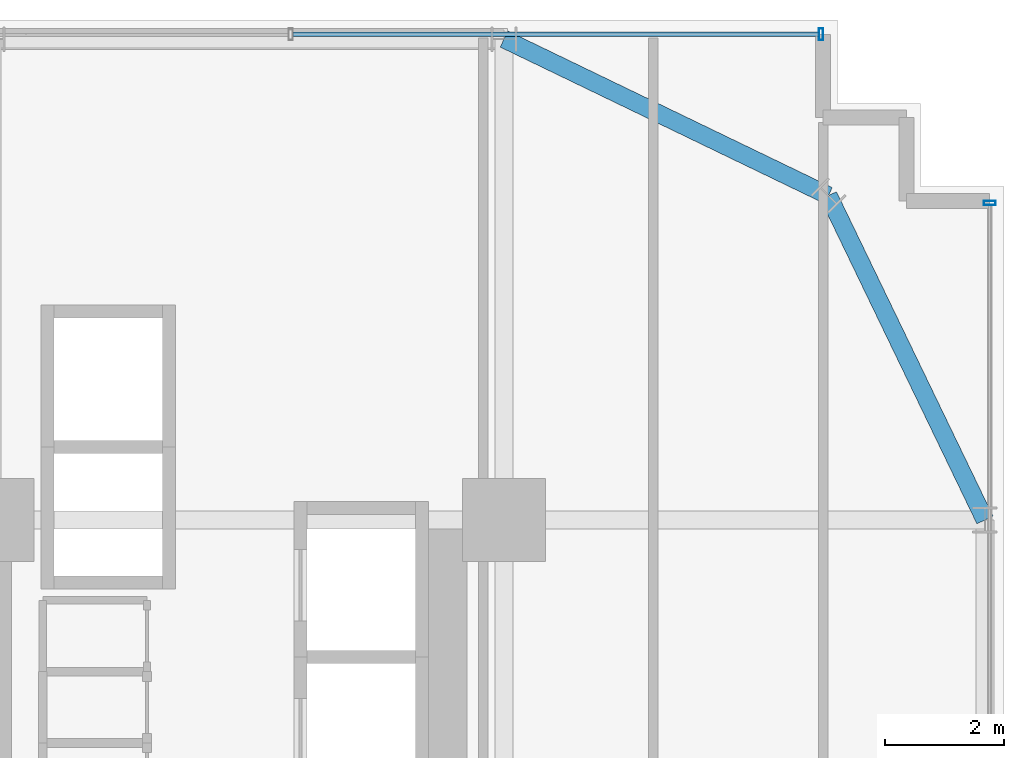
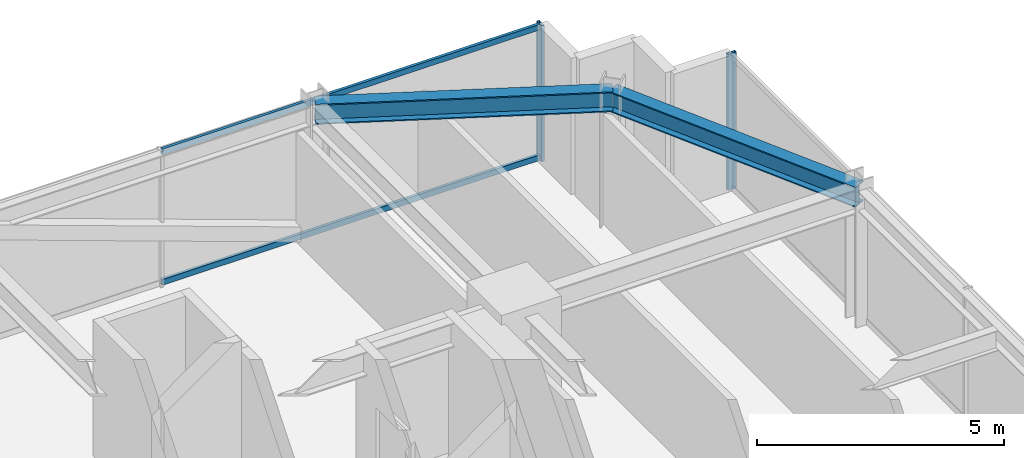
# One storey, part 29 of 37: 4 members, 2 beams, 2 elements without a shape of their own.
"""IFC4 building model written with IfcOpenShell, lengths in metres."""

from ifc_helpers import new_model, si_unit, direction, frame, origin, origin_2d, place, context, subcontext, project, spatial, hollow_rectangle, i_section, extrude, source, transform, mapped, material, material_profile, profile_set, type_object, element, aggregate, save


model = new_model("IFC4")

# Units and contexts
model_context = context("Model", 3, precision=1e-05, world=origin(), true_north=direction((0.0, 1.0)))
body_context = subcontext(model_context, "Body", "Model", "MODEL_VIEW")
ifc_project = project(units=[si_unit("LENGTHUNIT", "METRE"), si_unit("AREAUNIT", "SQUARE_METRE"), si_unit("VOLUMEUNIT", "CUBIC_METRE"), si_unit("PLANEANGLEUNIT", "RADIAN"), si_unit("MASSUNIT", "GRAM", prefix="KILO")], contexts=[model_context])

# Site, building, storey
site_placement = place(None, origin())
site = spatial("IfcSite", under=ifc_project, at=site_placement, CompositionType="ELEMENT")
building_placement = place(site_placement, origin())
building = spatial("IfcBuilding", under=site, at=building_placement, Name="Nahalor Promenade Grand Hotel", CompositionType="ELEMENT")
storey_placement = place(building_placement, frame((0.0, 0.0, 65.25)))
storey = spatial("IfcBuildingStorey", under=building, at=storey_placement, Name="L15", CompositionType="ELEMENT", Elevation=65.25)

# Beams
ifc_material_1 = material(Name="Steel S355JR", Category="steel")
ifc_material_profile_1 = material_profile(ifc_material_1, i_section(OverallWidth=0.3, OverallDepth=0.5, WebThickness=0.0145, FlangeThickness=0.028, at=origin_2d()), Name="HEB 500")
ifc_profile_set_1 = profile_set([ifc_material_profile_1], Name="Steel S355JR")
beam_type = type_object("IfcBeamType", Name="Beam-Spandrel-HEB500", PredefinedType="SPANDREL", material=ifc_profile_set_1)
shared_shape_1 = source(origin(), body_context, "Body", "SweptSolid", [
    extrude(i_section(OverallWidth=0.3, OverallDepth=0.5, WebThickness=0.0145, FlangeThickness=0.028, at=origin_2d()), origin(), (0.0, 0.0, 1.0), 6.051513671875),
])
for number, where, z_axis, x_axis, name in (
    (1, (17.0, 25.080078125, 3.1201171875), (0.900608818852, -0.434630596492, 0.0), (0.434630596492, 0.900608818852, 0.0), "BM-L15-SPC-NE-1"),
    (2, (22.449951171875, 22.449951171875, 3.1201171875), (0.434630596492, -0.900608818852, 0.0), (0.900608818852, 0.434630596492, 0.0), "BM-L15-SPC-NE-2"),
):
    element("IfcBeam", number, at=place(storey_placement, frame(where, z_axis=z_axis, x_axis=x_axis)), inside=storey, type_object=beam_type, Name=name, PredefinedType="SPANDREL", context=body_context, shape_type="MappedRepresentation", body=[
        mapped(shared_shape_1, transform((0.0, 0.0, 0.0), scale=1.0)),
    ])

# Curtain wall, members
ifc_material_2 = material(Name="Anodised Bronze Aluminium EN AW-6063 T6", Category="aluminium")
curtain_wall_type = type_object("IfcCurtainWallType", Name="CW3 Elliptical-Void Collar Unitised Curtain Wall", PredefinedType="USERDEFINED", material=ifc_material_2)
curtain_wall_1_placement = place(storey_placement, origin())
curtain_wall_1 = element("IfcCurtainWall", 3, at=curtain_wall_1_placement, inside=storey, type_object=curtain_wall_type, Name="L15 Curtain Wall CW-L15-N-1", ObjectType="UNITISED_CURTAIN_WALL", PredefinedType="USERDEFINED")
ifc_material_profile_2 = material_profile(ifc_material_2, hollow_rectangle(XDim=0.07, YDim=0.14, WallThickness=0.004, at=origin_2d()), Name="CWT 70x140x4")
ifc_profile_set_2 = profile_set([ifc_material_profile_2], Name="Anodised Bronze Aluminium EN AW-6063 T6")
member_type_1 = type_object("IfcMemberType", Name="CWT3 Void Collar Transom 70x140", PredefinedType="USERDEFINED", material=ifc_profile_set_2)
shared_shape_2 = source(origin(), body_context, "Body", "SweptSolid", [
    extrude(hollow_rectangle(XDim=0.07, YDim=0.14, WallThickness=0.004, at=origin_2d()), origin(), (0.0, 0.0, 1.0), 8.839111328125),
])
member_1_placement = place(storey_placement, frame((13.450927734375, 25.159912109375, 0.070068359375), z_axis=(1.0, 0.0, 0.0), x_axis=(0.0, 1.0, 0.0)))
member_1 = element("IfcMember", 4, at=member_1_placement, type_object=member_type_1, Name="CW-L15-N-1 Transom 4-0", ObjectType="TRANSOM", PredefinedType="USERDEFINED", context=body_context, shape_type="MappedRepresentation", body=[
    mapped(shared_shape_2, transform((0.0, 0.0, 0.0), scale=1.0)),
])
member_2_placement = place(storey_placement, frame((13.450927734375, 25.159912109375, 3.300048828125), z_axis=(1.0, 0.0, 0.0), x_axis=(0.0, 1.0, 0.0)))
member_2 = element("IfcMember", 5, at=member_2_placement, type_object=member_type_1, Name="CW-L15-N-1 Transom 4-1", ObjectType="TRANSOM", PredefinedType="USERDEFINED", context=body_context, shape_type="MappedRepresentation", body=[
    mapped(shared_shape_2, transform((0.0, 0.0, 0.0), scale=1.0)),
])
ifc_material_profile_3 = material_profile(ifc_material_2, hollow_rectangle(XDim=0.07, YDim=0.2, WallThickness=0.005, at=origin_2d()), Name="CWM 70x200x5")
ifc_profile_set_3 = profile_set([ifc_material_profile_3], Name="Anodised Bronze Aluminium EN AW-6063 T6")
member_type_2 = type_object("IfcMemberType", Name="CWM3 Void Collar Mullion 70x200", PredefinedType="MULLION", material=ifc_profile_set_3)
shared_shape_3 = source(origin(), body_context, "Body", "SweptSolid", [
    extrude(hollow_rectangle(XDim=0.07, YDim=0.2, WallThickness=0.005, at=origin_2d()), origin(), (0.0, 0.0, 1.0), 3.3701171875),
])
member_3_placement = place(storey_placement, frame((22.324951171875, 25.159912109375, 0.0), z_axis=(0.0, 0.0, 1.0), x_axis=(1.0, 0.0, 0.0)))
member_3 = element("IfcMember", 6, at=member_3_placement, type_object=member_type_2, Name="CW-L15-N-1 Mullion 5", PredefinedType="MULLION", context=body_context, shape_type="MappedRepresentation", body=[
    mapped(shared_shape_3, transform((0.0, 0.0, 0.0), scale=1.0)),
])
aggregate(curtain_wall_1, [member_3, member_1, member_2])

# Curtain wall, member
curtain_wall_2_placement = place(storey_placement, origin())
curtain_wall_2 = element("IfcCurtainWall", 7, at=curtain_wall_2_placement, inside=storey, type_object=curtain_wall_type, Name="L15 Curtain Wall CW-L15-E-2", ObjectType="UNITISED_CURTAIN_WALL", PredefinedType="USERDEFINED")
member_4_placement = place(storey_placement, frame((25.159912109375, 22.324951171875, 0.0), z_axis=(0.0, 0.0, 1.0), x_axis=(0.0, 1.0, 0.0)))
member_4 = element("IfcMember", 8, at=member_4_placement, type_object=member_type_2, Name="CW-L15-E-2 Mullion 2", PredefinedType="MULLION", context=body_context, shape_type="MappedRepresentation", body=[
    mapped(shared_shape_3, transform((0.0, 0.0, 0.0), scale=1.0)),
])
aggregate(curtain_wall_2, [member_4])

save(model, "model.ifc")
